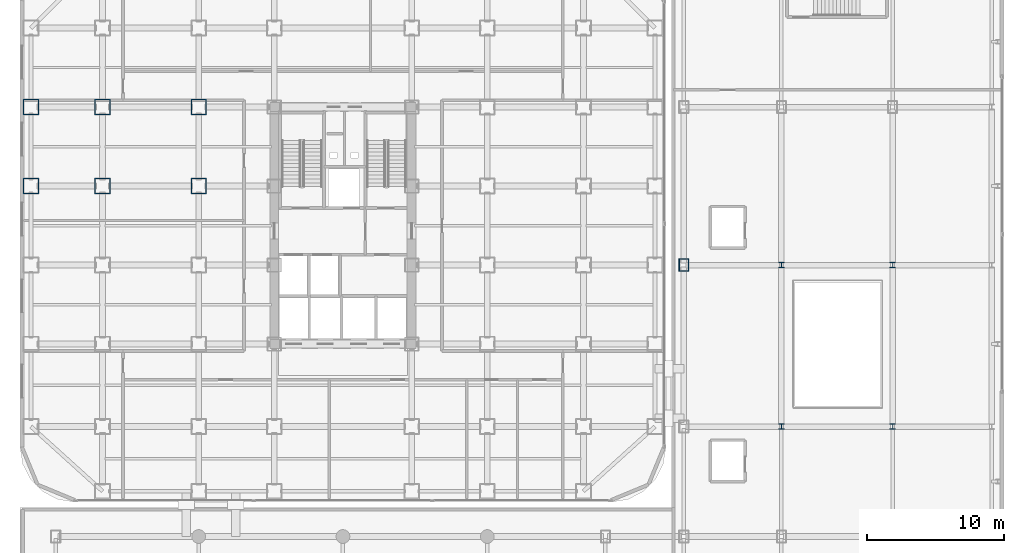
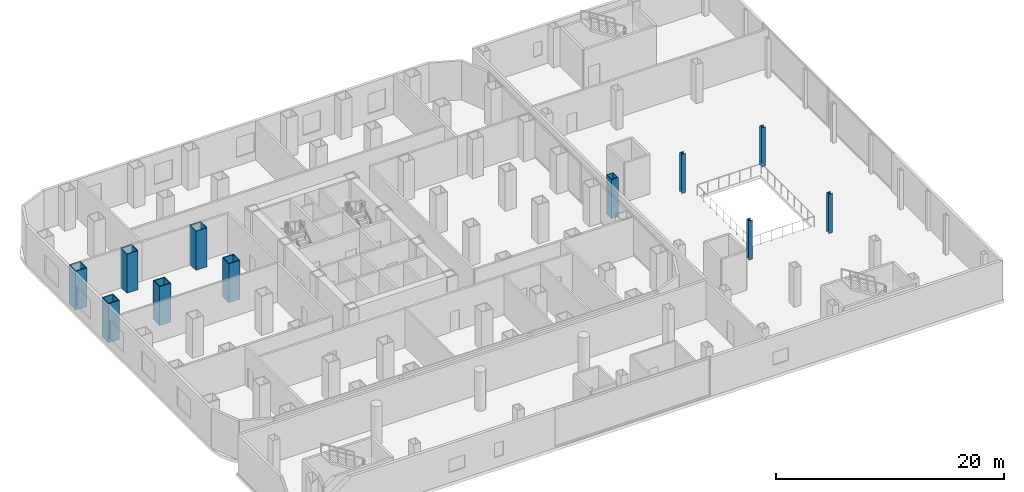
# One storey, part 2 of 26: 11 columns.
"""IFC4 building model written with IfcOpenShell, lengths in metres."""

import ifcopenshell
import ifcopenshell.guid

model = None  # the IFC model being written
_history = None  # IfcOwnerHistory: only IFC2X3 demands one
_inside = {}  # id of a spatial element -> (the spatial element, [elements in it])
_under = {}  # id of a project, library or spatial element -> (it, [spatial elements below it])
_declared = {}  # id of a project -> (the project, [libraries it declares])
_typed = {}  # id of a type object -> (the type object, [elements of that type])
_made_of = {}  # id of a material, layer set ... -> (it, [elements and type objects made of it])


def new_model(schema):
    """Start an empty IFC model of exactly this schema.

    Asked for "IFC4X3", IfcOpenShell would pick the latest addendum, in which some entities
    have other attributes; the version numbers below select the first issue.
    IFC2X3 requires an IfcOwnerHistory on every rooted entity: one is made here for all.
    """
    global model, _history
    if schema == "IFC4X3":
        model = ifcopenshell.file(schema_version=(4, 3, 0, 0))
    else:
        model = ifcopenshell.file(schema=schema)
    _inside.clear()
    _under.clear()
    _declared.clear()
    _typed.clear()
    _made_of.clear()
    _history = None
    if model.schema == "IFC2X3":
        org = make("IfcOrganization", Name="unknown")
        user = make(
            "IfcPersonAndOrganization",
            ThePerson=make("IfcPerson", FamilyName="unknown"),
            TheOrganization=org,
        )
        app = make(
            "IfcApplication",
            ApplicationDeveloper=org,
            Version="unknown",
            ApplicationFullName="unknown",
            ApplicationIdentifier="unknown",
        )
        _history = make(
            "IfcOwnerHistory",
            OwningUser=user,
            OwningApplication=app,
            ChangeAction="ADDED",
            CreationDate=0,
        )
    return model


def make(cls, **values):
    """One entity of the class cls with the attributes given. An attribute that is None is left unset."""
    return model.create_entity(
        cls, **{name: value for name, value in values.items() if value is not None}
    )


def rooted(cls, **values):
    """An entity with a GlobalId (a new one), such as an element, a storey or a relation."""
    return make(cls, GlobalId=ifcopenshell.guid.new(), OwnerHistory=_history, **values)


def si_unit(unit_type, name, prefix=None):
    """IfcSIUnit, for example si_unit("LENGTHUNIT", "METRE", prefix="MILLI")."""
    return make("IfcSIUnit", UnitType=unit_type, Prefix=prefix, Name=name)


def assignment(units):
    """IfcUnitAssignment: the units of a project."""
    return None if units is None else make("IfcUnitAssignment", Units=units)


def point(xyz):
    """IfcCartesianPoint."""
    return None if xyz is None else make("IfcCartesianPoint", Coordinates=xyz)


def direction(xyz):
    """IfcDirection."""
    return None if xyz is None else make("IfcDirection", DirectionRatios=xyz)


def frame(location, z_axis=None, x_axis=None):
    """IfcAxis2Placement3D, a coordinate frame: its origin and axes. An axis left out is left unset."""
    return make(
        "IfcAxis2Placement3D",
        Location=point(location),
        Axis=direction(z_axis),
        RefDirection=direction(x_axis),
    )


def frame_2d(location, x_axis=None):
    """IfcAxis2Placement2D, a coordinate frame in the plane: its origin and x axis."""
    return make(
        "IfcAxis2Placement2D", Location=point(location), RefDirection=direction(x_axis)
    )


def origin():
    """The frame at (0, 0, 0) with its axes left unset."""
    return frame((0.0, 0.0, 0.0))


def origin_2d():
    """The frame at (0, 0) in the plane with its x axis left unset."""
    return frame_2d((0.0, 0.0))


def place(relative_to, where):
    """IfcLocalPlacement: puts the frame where relative to a parent placement (None: the world)."""
    return make(
        "IfcLocalPlacement", PlacementRelTo=relative_to, RelativePlacement=where
    )


def context(
    kind, dimensions, precision=None, world=None, true_north=None, identifier=None
):
    """IfcGeometricRepresentationContext, for example the 3D "Model" context."""
    return make(
        "IfcGeometricRepresentationContext",
        ContextIdentifier=identifier,
        ContextType=kind,
        CoordinateSpaceDimension=dimensions,
        Precision=precision,
        WorldCoordinateSystem=world,
        TrueNorth=true_north,
    )


def subcontext(parent, identifier, kind, view, scale=None):
    """IfcGeometricRepresentationSubContext, for example "Body" below "Model"."""
    return make(
        "IfcGeometricRepresentationSubContext",
        ContextIdentifier=identifier,
        ContextType=kind,
        ParentContext=parent,
        TargetScale=scale,
        TargetView=view,
    )


def project(units=None, contexts=None):
    """IfcProject with its units and contexts."""
    return rooted(
        "IfcProject",
        Name="project",
        RepresentationContexts=contexts,
        UnitsInContext=assignment(units),
    )


def spatial(cls, under=None, at=None, **own):
    """A site, building, storey or space (cls), placed at a placement, below another one or the project."""
    s = rooted(cls, ObjectPlacement=at, **own)
    if under is not None:
        _under.setdefault(under.id(), (under, []))[1].append(s)
    return s


def profile(cls, at=None, kind="AREA", **sizes):
    """A parametric profile (cls). Its sizes go by their IFC names, for example OverallWidth=200.0."""
    return make(cls, ProfileType=kind, Position=at, **sizes)


def hollow_rectangle(**sizes):
    """IfcRectangleHollowProfileDef."""
    return profile("IfcRectangleHollowProfileDef", **sizes)


def i_section(**sizes):
    """IfcIShapeProfileDef."""
    return profile("IfcIShapeProfileDef", **sizes)


def extrude(swept, where, along, depth):
    """IfcExtrudedAreaSolid: the profile swept, set in the frame where, extruded along a direction by depth."""
    return make(
        "IfcExtrudedAreaSolid",
        SweptArea=swept,
        Position=where,
        ExtrudedDirection=direction(along),
        Depth=depth,
    )


def shape(context_of_items, identifier, shape_type, items):
    """IfcShapeRepresentation: the items that make up one representation, for example the "Body"."""
    return make(
        "IfcShapeRepresentation",
        ContextOfItems=context_of_items,
        RepresentationIdentifier=identifier,
        RepresentationType=shape_type,
        Items=items,
    )


def source(mapping_origin, context_of_items, identifier, shape_type, items):
    """IfcRepresentationMap: a shape defined once, which mapped items show again and again."""
    return make(
        "IfcRepresentationMap",
        MappingOrigin=mapping_origin,
        MappedRepresentation=shape(context_of_items, identifier, shape_type, items),
    )


def transform(
    local_origin,
    x_axis=None,
    y_axis=None,
    z_axis=None,
    scale=None,
    scale2=None,
    scale3=None,
    uniform=True,
):
    """IfcCartesianTransformationOperator3D, or its non-uniform kind. x_axis, y_axis, z_axis: its Axis1, 2, 3."""
    if uniform:
        return make(
            "IfcCartesianTransformationOperator3D",
            Axis1=direction(x_axis),
            Axis2=direction(y_axis),
            LocalOrigin=point(local_origin),
            Scale=scale,
            Axis3=direction(z_axis),
        )
    return make(
        "IfcCartesianTransformationOperator3DnonUniform",
        Axis1=direction(x_axis),
        Axis2=direction(y_axis),
        LocalOrigin=point(local_origin),
        Scale=scale,
        Axis3=direction(z_axis),
        Scale2=scale2,
        Scale3=scale3,
    )


def mapped(mapping_source, mapping_target):
    """IfcMappedItem: shows the shape of a source again, moved by a transform."""
    return make(
        "IfcMappedItem", MappingSource=mapping_source, MappingTarget=mapping_target
    )


def material(Name=None, Category=None):
    """IfcMaterial."""
    return make("IfcMaterial", Name=Name, Category=Category)


def material_profile(
    of_material, cross_section, Name=None, Category=None, Priority=None
):
    """IfcMaterialProfile: a cross section and its material."""
    return make(
        "IfcMaterialProfile",
        Name=Name,
        Material=of_material,
        Profile=cross_section,
        Priority=Priority,
        Category=Category,
    )


def profile_set(profiles, Name=None, composite=None):
    """IfcMaterialProfileSet."""
    return make(
        "IfcMaterialProfileSet",
        Name=Name,
        MaterialProfiles=profiles,
        CompositeProfile=composite,
    )


def made_of(thing, what):
    """Note that an element or type object is made of a material, layer set ...; save() writes the relation."""
    if what is not None:
        _made_of.setdefault(what.id(), (what, []))[1].append(thing)
    return thing


def type_object(cls, material=None, **own):
    """A type object (cls), such as IfcWallType, which elements share."""
    return made_of(rooted(cls, **own), material)


def element(
    cls,
    number,
    at=None,
    inside=None,
    cuts=None,
    type_object=None,
    material=None,
    context=None,
    identifier="Body",
    shape_type=None,
    held_by="IfcProductDefinitionShape",
    body=None,
    shapes=None,
    **own,
):
    """One element of the class cls, such as IfcWall. Its Tag is "e" and its number.

    at: its placement. inside: the storey or other place that contains it. cuts: it is an
    opening in that element (IfcRelVoidsElement). A single representation is given by context,
    identifier, shape_type and body (its items); several are given by shapes. held_by: the class
    of the entity that holds the representations. save() writes the other relations.
    """
    e = rooted(cls, Tag="e%d" % number, ObjectPlacement=at, **own)
    if body is not None:
        shapes = [shape(context, identifier, shape_type, body)]
    if shapes is not None:
        e.Representation = make(held_by, Representations=shapes)
    if inside is not None:
        _inside.setdefault(inside.id(), (inside, []))[1].append(e)
    if cuts is not None:
        rooted(
            "IfcRelVoidsElement", RelatingBuildingElement=cuts, RelatedOpeningElement=e
        )
    if type_object is not None:
        _typed.setdefault(type_object.id(), (type_object, []))[1].append(e)
    return made_of(e, material)


def aggregate(whole, parts):
    """IfcRelAggregates: a whole, such as a stair, and the parts it consists of."""
    return rooted("IfcRelAggregates", RelatingObject=whole, RelatedObjects=parts)


def save(model, path):
    """Write the relations noted so far, then the file.

    IfcRelAggregates (storeys below a building ...), IfcRelContainedInSpatialStructure (elements
    in a storey), IfcRelDefinesByType, IfcRelAssociatesMaterial and IfcRelDeclares: one each for
    every whole, place, type object, material and project.
    """
    for whole, parts in _under.values():
        aggregate(whole, parts)
    for where, things in _inside.values():
        rooted(
            "IfcRelContainedInSpatialStructure",
            RelatedElements=things,
            RelatingStructure=where,
        )
    for kind, things in _typed.values():
        rooted("IfcRelDefinesByType", RelatedObjects=things, RelatingType=kind)
    for what, things in _made_of.values():
        rooted("IfcRelAssociatesMaterial", RelatedObjects=things, RelatingMaterial=what)
    for by, libraries in _declared.values():
        rooted("IfcRelDeclares", RelatingContext=by, RelatedDefinitions=libraries)
    model.write(path)


model = new_model("IFC4")

# Units and contexts
model_context = context("Model", 3, precision=1e-05, world=origin(), true_north=direction((0.0, 1.0)))
body_context = subcontext(model_context, "Body", "Model", "MODEL_VIEW")
ifc_project = project(units=[si_unit("LENGTHUNIT", "METRE"), si_unit("AREAUNIT", "SQUARE_METRE"), si_unit("VOLUMEUNIT", "CUBIC_METRE"), si_unit("PLANEANGLEUNIT", "RADIAN"), si_unit("MASSUNIT", "GRAM", prefix="KILO")], contexts=[model_context])

# Site, building, storey
site_placement = place(None, origin())
site = spatial("IfcSite", under=ifc_project, at=site_placement, CompositionType="ELEMENT")
building_placement = place(site_placement, origin())
building = spatial("IfcBuilding", under=site, at=building_placement, Name="Kolveth Station Tower", CompositionType="ELEMENT")
storey_placement = place(building_placement, frame((0.0, 0.0, 4.5)))
storey = spatial("IfcBuildingStorey", under=building, at=storey_placement, Name="L01", CompositionType="ELEMENT", Elevation=4.5)

# Columns
ifc_material_1 = material(Name="Steel S460", Category="steel")
ifc_material_profile_1 = material_profile(ifc_material_1, hollow_rectangle(XDim=1.139892578125, YDim=1.139892578125, WallThickness=0.070068359375, at=origin_2d()), Name="BOX1140x1140x70")
ifc_profile_set_1 = profile_set([ifc_material_profile_1], Name="Steel S460")
column_type_1 = type_object("IfcColumnType", Name="Col_C1", PredefinedType="COLUMN", material=ifc_profile_set_1)
shared_shape_1 = source(origin(), body_context, "Body", "SweptSolid", [
    extrude(hollow_rectangle(XDim=1.139892578125, YDim=1.139892578125, WallThickness=0.070068359375, at=origin_2d()), origin(), (0.0, 0.0, 1.0), 4.179931640625),
])
for number, where, z_axis, x_axis, name in (
    (1, (0.800048828125, 23.0, 0.0), (0.0, 0.0, 1.0), (1.0, 0.0, 0.0), "L01 Tower Column W-Y230"),
    (2, (0.800048828125, 28.75, 0.0), (0.0, 0.0, 1.0), (1.0, 0.0, 0.0), "L01 Tower Column W-Y287"),
    (3, (6.0, 23.0, 0.0), (0.0, 0.0, 1.0), (1.0, 0.0, 0.0), "L01 Tower Column G-60-230"),
    (4, (6.0, 28.75, 0.0), (0.0, 0.0, 1.0), (1.0, 0.0, 0.0), "L01 Tower Column G-60-287"),
    (5, (13.0, 23.0, 0.0), (0.0, 0.0, 1.0), (1.0, 0.0, 0.0), "L01 Tower Column G-130-230"),
    (6, (13.0, 28.75, 0.0), (0.0, 0.0, 1.0), (1.0, 0.0, 0.0), "L01 Tower Column G-130-287"),
):
    element("IfcColumn", number, at=place(storey_placement, frame(where, z_axis=z_axis, x_axis=x_axis)), inside=storey, type_object=column_type_1, Name=name, PredefinedType="COLUMN", context=body_context, shape_type="MappedRepresentation", body=[
        mapped(shared_shape_1, transform((0.0, 0.0, 0.0), x_axis=(1.0, 0.0, 0.0), y_axis=(0.0, 1.0, 0.0), z_axis=(0.0, 0.0, 1.0), scale=1.0)),
    ])
ifc_material_2 = material(Name="Steel S355", Category="steel")
ifc_material_profile_2 = material_profile(ifc_material_2, hollow_rectangle(XDim=0.699951171875, YDim=0.89990234375, WallThickness=0.0400390625, at=origin_2d()), Name="BOX900x700x40")
ifc_profile_set_2 = profile_set([ifc_material_profile_2], Name="Steel S355")
column_type_2 = type_object("IfcColumnType", Name="Col_SC1", PredefinedType="COLUMN", material=ifc_profile_set_2)
shared_shape_2 = source(origin(), body_context, "Body", "SweptSolid", [
    extrude(hollow_rectangle(XDim=0.699951171875, YDim=0.89990234375, WallThickness=0.0400390625, at=origin_2d()), origin(), (0.0, 0.0, 1.0), 4.179931640625),
])
column_placement = place(storey_placement, frame((48.300048828125, 17.25, 0.0), z_axis=(0.0, 0.0, 1.0), x_axis=(1.0, 0.0, 0.0)))
element("IfcColumn", 7, at=column_placement, inside=storey, type_object=column_type_2, Name="L01 Station Column SE-1-4", PredefinedType="COLUMN", context=body_context, shape_type="MappedRepresentation", body=[
    mapped(shared_shape_2, transform((0.0, 0.0, 0.0), x_axis=(1.0, 0.0, 0.0), y_axis=(0.0, 1.0, 0.0), z_axis=(0.0, 0.0, 1.0), scale=1.0)),
])
ifc_material_profile_3 = material_profile(ifc_material_2, i_section(OverallWidth=0.39892578125, OverallDepth=0.39306640625, WebThickness=0.022705078125, FlangeThickness=0.03662109375, at=origin_2d()), Name="W360x287")
ifc_profile_set_3 = profile_set([ifc_material_profile_3], Name="Steel S355")
column_type_3 = type_object("IfcColumnType", Name="Col_CW1", PredefinedType="COLUMN", material=ifc_profile_set_3)
shared_shape_3 = source(origin(), body_context, "Body", "SweptSolid", [
    extrude(i_section(OverallWidth=0.39892578125, OverallDepth=0.39306640625, WebThickness=0.022705078125, FlangeThickness=0.03662109375, at=origin_2d()), origin(), (0.0, 0.0, 1.0), 4.179931640625),
])
for number, where, z_axis, x_axis, name in (
    (8, (55.39990234375, 5.5, 0.0), (0.0, 0.0, 1.0), (1.0, 0.0, 0.0), "L01 Station Column SE-2-3"),
    (9, (55.39990234375, 17.25, 0.0), (0.0, 0.0, 1.0), (1.0, 0.0, 0.0), "L01 Station Column SE-2-4"),
    (10, (63.5, 5.5, 0.0), (0.0, 0.0, 1.0), (1.0, 0.0, 0.0), "L01 Station Column SE-3-3"),
    (11, (63.5, 17.25, 0.0), (0.0, 0.0, 1.0), (1.0, 0.0, 0.0), "L01 Station Column SE-3-4"),
):
    element("IfcColumn", number, at=place(storey_placement, frame(where, z_axis=z_axis, x_axis=x_axis)), inside=storey, type_object=column_type_3, Name=name, PredefinedType="COLUMN", context=body_context, shape_type="MappedRepresentation", body=[
        mapped(shared_shape_3, transform((0.0, 0.0, 0.0), x_axis=(1.0, 0.0, 0.0), y_axis=(0.0, 1.0, 0.0), z_axis=(0.0, 0.0, 1.0), scale=1.0)),
    ])

save(model, "model.ifc")
